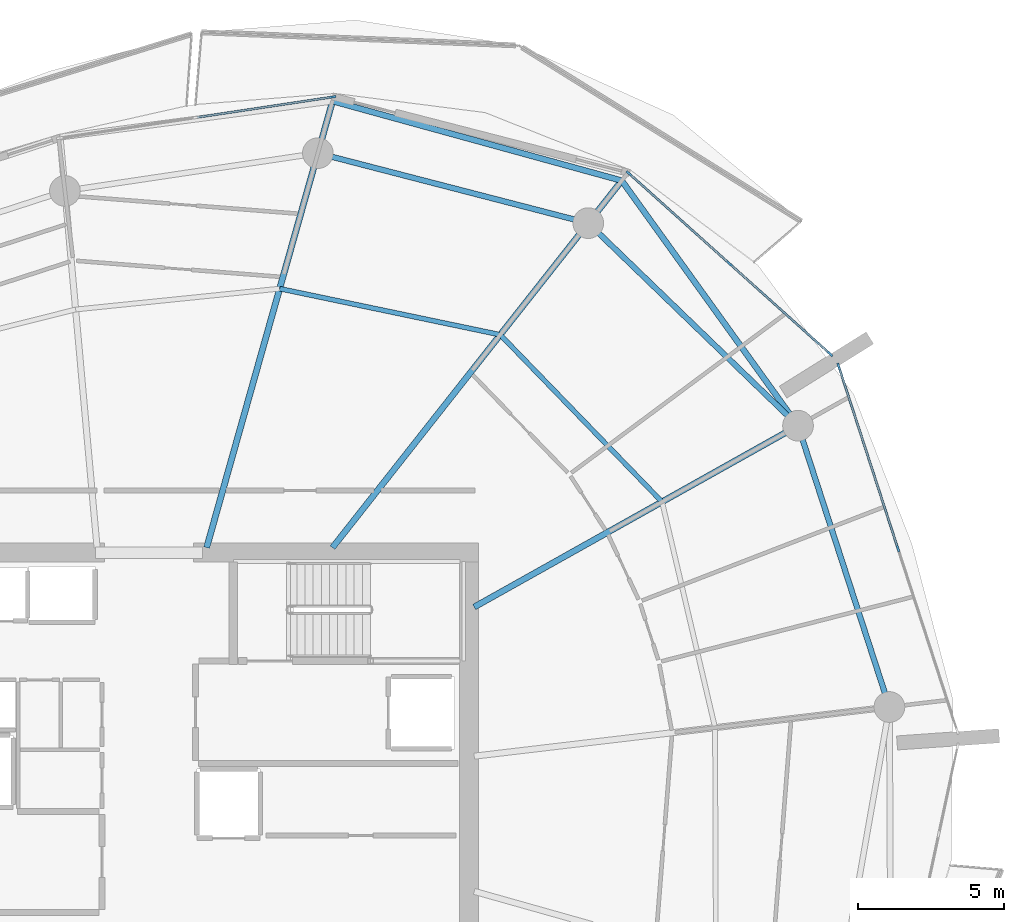
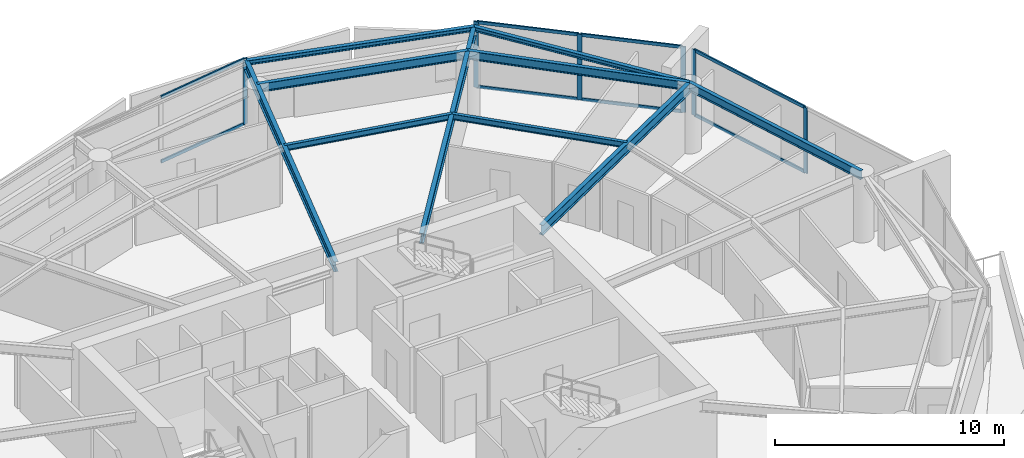
# One storey, part 9 of 21: 14 members, 10 beams, 3 elements without a shape of their own.
"""IFC4 building model written with IfcOpenShell, lengths in metres."""

from ifc_helpers import new_model, si_unit, direction, frame, origin, origin_2d, place, context, subcontext, project, spatial, rectangle, i_section, extrude, material, layer, layer_set, material_profile, profile_set, type_object, element, aggregate, save


model = new_model("IFC4")

# Units and contexts
model_context = context("Model", 3, precision=1e-05, world=origin(), true_north=direction((0.0, 1.0)))
body_context = subcontext(model_context, "Body", "Model", "MODEL_VIEW")
ifc_project = project(units=[si_unit("LENGTHUNIT", "METRE"), si_unit("AREAUNIT", "SQUARE_METRE"), si_unit("VOLUMEUNIT", "CUBIC_METRE"), si_unit("PLANEANGLEUNIT", "RADIAN"), si_unit("MASSUNIT", "GRAM", prefix="KILO")], contexts=[model_context])

# Site, building, storey
site_placement = place(None, origin())
site = spatial("IfcSite", under=ifc_project, at=site_placement, CompositionType="ELEMENT")
building_placement = place(site_placement, origin())
building = spatial("IfcBuilding", under=site, at=building_placement, Name="Kazma Halo Residences", CompositionType="ELEMENT")
storey_placement = place(building_placement, frame((0.0, 0.0, 191.550048828125)))
storey = spatial("IfcBuildingStorey", under=building, at=storey_placement, Name="L48", CompositionType="ELEMENT", Elevation=191.550048828125)

# Beams
ifc_material_1 = material(Name="Steel S355", Category="steel")
ifc_material_profile_1 = material_profile(ifc_material_1, i_section(OverallWidth=0.201904296875, OverallDepth=0.2470703125, WebThickness=0.00732421875, FlangeThickness=0.010986328125, FilletRadius=0.011962890625, at=origin_2d()), Name="W250x49.1")
ifc_profile_set_1 = profile_set([ifc_material_profile_1], Name="Steel S355")
beam_type_1 = type_object("IfcBeamType", Name="BM-BAL-CANT", PredefinedType="BEAM", material=ifc_profile_set_1)
beam_1_placement = place(storey_placement, frame((70.625, 54.670654296875, 3.37646484375), z_axis=(-0.583963922576, 0.811779611181, 0.0), x_axis=(-0.811779611181, -0.583963922576, 0.0)))
element("IfcBeam", 1, at=beam_1_placement, inside=storey, type_object=beam_type_1, Name="L48 wave-balcony lead tie beam 01", PredefinedType="BEAM", context=body_context, shape_type="SweptSolid", body=[
    extrude(i_section(OverallWidth=0.201904296875, OverallDepth=0.2470703125, WebThickness=0.00732421875, FlangeThickness=0.010986328125, FilletRadius=0.011962890625, at=origin_2d()), origin(), (0.0, 0.0, 1.0), 10.324462890625),
])
beam_2_placement = place(storey_placement, frame((64.595947265625, 63.0517578125, 3.37646484375), z_axis=(-0.964197026197, 0.265186905169, 0.0), x_axis=(-0.265186905169, -0.964197026197, 0.0)))
element("IfcBeam", 2, at=beam_2_placement, inside=storey, type_object=beam_type_1, Name="L48 wave-balcony tie beam 02", PredefinedType="BEAM", context=body_context, shape_type="SweptSolid", body=[
    extrude(i_section(OverallWidth=0.201904296875, OverallDepth=0.2470703125, WebThickness=0.00732421875, FlangeThickness=0.010986328125, FilletRadius=0.011962890625, at=origin_2d()), origin(), (0.0, 0.0, 1.0), 10.258544921875),
])
ifc_material_profile_2 = material_profile(ifc_material_1, i_section(OverallWidth=0.208984375, OverallDepth=0.532958984375, WebThickness=0.01025390625, FlangeThickness=0.015625, FilletRadius=0.01611328125, at=origin_2d()), Name="W530x92")
ifc_profile_set_2 = profile_set([ifc_material_profile_2], Name="Steel S355")
beam_type_2 = type_object("IfcBeamType", Name="BM-RAD-W530", PredefinedType="BEAM", material=ifc_profile_set_2)
beam_3_placement = place(storey_placement, frame((59.550048828125, 48.46826171875, 3.2333984375), z_axis=(0.872491912539, 0.488628552742, 0.0), x_axis=(-0.488628552742, 0.872491912539, 0.0)))
element("IfcBeam", 3, at=beam_3_placement, inside=storey, type_object=beam_type_2, Name="L48 radial floor beam 01", PredefinedType="BEAM", context=body_context, shape_type="SweptSolid", body=[
    extrude(i_section(OverallWidth=0.208984375, OverallDepth=0.532958984375, WebThickness=0.01025390625, FlangeThickness=0.015625, FilletRadius=0.01611328125, at=origin_2d()), origin(), (0.0, 0.0, 1.0), 12.693359375),
])
beam_4_placement = place(storey_placement, frame((54.700927734375, 50.5, 3.2333984375), z_axis=(0.61909439419, 0.785316580165, 0.0), x_axis=(-0.785316580165, 0.61909439419, 0.0)))
element("IfcBeam", 4, at=beam_4_placement, inside=storey, type_object=beam_type_2, Name="L48 radial floor beam 02", PredefinedType="BEAM", context=body_context, shape_type="SweptSolid", body=[
    extrude(i_section(OverallWidth=0.208984375, OverallDepth=0.532958984375, WebThickness=0.01025390625, FlangeThickness=0.015625, FilletRadius=0.01611328125, at=origin_2d()), origin(), (0.0, 0.0, 1.0), 15.983154296875),
])
beam_5_placement = place(storey_placement, frame((50.397216796875, 50.5, 3.2333984375), z_axis=(0.271449932859, 0.962452561922, 0.0), x_axis=(-0.962452561922, 0.271449932859, 0.0)))
element("IfcBeam", 5, at=beam_5_placement, inside=storey, type_object=beam_type_2, Name="L48 radial floor beam 03", PredefinedType="BEAM", context=body_context, shape_type="SweptSolid", body=[
    extrude(i_section(OverallWidth=0.208984375, OverallDepth=0.532958984375, WebThickness=0.01025390625, FlangeThickness=0.015625, FilletRadius=0.01611328125, at=origin_2d()), origin(), (0.0, 0.0, 1.0), 15.867919921875),
])
ifc_material_profile_3 = material_profile(ifc_material_1, i_section(OverallWidth=0.1650390625, OverallDepth=0.31005859375, WebThickness=0.005859375, FlangeThickness=0.009765625, FilletRadius=0.011962890625, at=origin_2d()), Name="W310x38.7")
ifc_profile_set_3 = profile_set([ifc_material_profile_3], Name="Steel S355")
beam_type_3 = type_object("IfcBeamType", Name="BM-SEC-W310B", PredefinedType="JOIST", material=ifc_profile_set_3)
beam_6_placement = place(storey_placement, frame((65.9736328125, 52.065673828125, 3.344970703125), z_axis=(-0.695659633946, 0.718371542934, 0.0), x_axis=(-0.718371542934, -0.695659633946, 0.0)))
element("IfcBeam", 6, at=beam_6_placement, inside=storey, type_object=beam_type_3, Name="L48 circumferential floor joist 01", PredefinedType="JOIST", context=body_context, shape_type="SweptSolid", body=[
    extrude(i_section(OverallWidth=0.1650390625, OverallDepth=0.31005859375, WebThickness=0.005859375, FlangeThickness=0.009765625, FilletRadius=0.011962890625, at=origin_2d()), origin(), (0.0, 0.0, 1.0), 7.95458984375),
])
beam_7_placement = place(storey_placement, frame((60.43994140625, 57.780029296875, 3.344970703125), z_axis=(-0.978821484976, 0.204715657802, 0.0), x_axis=(-0.204715657802, -0.978821484976, 0.0)))
element("IfcBeam", 7, at=beam_7_placement, inside=storey, type_object=beam_type_3, Name="L48 circumferential floor joist 02", PredefinedType="JOIST", context=body_context, shape_type="SweptSolid", body=[
    extrude(i_section(OverallWidth=0.1650390625, OverallDepth=0.31005859375, WebThickness=0.005859375, FlangeThickness=0.009765625, FilletRadius=0.011962890625, at=origin_2d()), origin(), (0.0, 0.0, 1.0), 7.707763671875),
])
ifc_material_profile_4 = material_profile(ifc_material_1, i_section(OverallWidth=0.18994140625, OverallDepth=0.45703125, WebThickness=0.009033203125, FlangeThickness=0.014404296875, FilletRadius=0.01611328125, at=origin_2d()), Name="W460x74")
ifc_profile_set_4 = profile_set([ifc_material_profile_4], Name="Steel S355")
beam_type_4 = type_object("IfcBeamType", Name="BM-SPN-W460", PredefinedType="BEAM", material=ifc_profile_set_4)
beam_8_placement = place(storey_placement, frame((70.625, 54.670654296875, 3.271484375), z_axis=(-0.71933650181, 0.694661786169, 0.0), x_axis=(-0.694661786169, -0.71933650181, 0.0)))
element("IfcBeam", 8, at=beam_8_placement, inside=storey, type_object=beam_type_4, Name="L48 perimeter ring beam 01", PredefinedType="BEAM", context=body_context, shape_type="SweptSolid", body=[
    extrude(i_section(OverallWidth=0.18994140625, OverallDepth=0.45703125, WebThickness=0.009033203125, FlangeThickness=0.014404296875, FilletRadius=0.01611328125, at=origin_2d()), origin(), (0.0, 0.0, 1.0), 9.9736328125),
])
beam_9_placement = place(storey_placement, frame((63.45068359375, 61.598876953125, 3.271484375), z_axis=(-0.968120950739, 0.25048318255, 0.0), x_axis=(-0.25048318255, -0.968120950739, 0.0)))
element("IfcBeam", 9, at=beam_9_placement, inside=storey, type_object=beam_type_4, Name="L48 perimeter ring beam 02", PredefinedType="BEAM", context=body_context, shape_type="SweptSolid", body=[
    extrude(i_section(OverallWidth=0.18994140625, OverallDepth=0.45703125, WebThickness=0.009033203125, FlangeThickness=0.014404296875, FilletRadius=0.01611328125, at=origin_2d()), origin(), (0.0, 0.0, 1.0), 9.552734375),
])
beam_10_placement = place(storey_placement, frame((73.751708984375, 45.0478515625, 3.271484375), z_axis=(-0.309023327426, 0.951054458539, 0.0), x_axis=(-0.951054458539, -0.309023327426, 0.0)))
element("IfcBeam", 10, at=beam_10_placement, inside=storey, type_object=beam_type_4, Name="L48 perimeter ring beam 16", PredefinedType="BEAM", context=body_context, shape_type="SweptSolid", body=[
    extrude(i_section(OverallWidth=0.18994140625, OverallDepth=0.45703125, WebThickness=0.009033203125, FlangeThickness=0.014404296875, FilletRadius=0.01611328125, at=origin_2d()), origin(), (0.0, 0.0, 1.0), 10.117919921875),
])

# Curtain wall, members
ifc_material_2 = material(Name="Aluminium AW-6063 T6 and Triple-Silver Low-E Glass", Category="aluminium")
ifc_layer = layer(ifc_material_2, 0.219970703125)
ifc_layer_set = layer_set([ifc_layer], Name="Aluminium AW-6063 T6 and Triple-Silver Low-E Glass")
curtain_wall_type = type_object("IfcCurtainWallType", Name="CW-SYS-4", PredefinedType="NOTDEFINED", material=ifc_layer_set)
curtain_wall_1_placement = place(storey_placement, origin())
curtain_wall_1 = element("IfcCurtainWall", 11, at=curtain_wall_1_placement, inside=storey, type_object=curtain_wall_type, Name="L48 unitised curtain wall B01", PredefinedType="NOTDEFINED")
ifc_material_3 = material(Name="Aluminium AW-6063 T6", Category="aluminium")
ifc_material_profile_5 = material_profile(ifc_material_3, rectangle(XDim=0.074951171875, YDim=0.219970703125, at=origin_2d()), Name="CWM-75x220")
ifc_profile_set_5 = profile_set([ifc_material_profile_5], Name="Aluminium AW-6063 T6")
member_type_1 = type_object("IfcMemberType", Name="CW-SYS-4-MUL", PredefinedType="MULLION", material=ifc_profile_set_5)
member_1_placement = place(storey_placement, frame((71.7216796875, 57.126220703125, 0.0), z_axis=(0.0, 0.0, 1.0), x_axis=(-0.667784328806, -0.744354814723, 0.0)))
member_1 = element("IfcMember", 12, at=member_1_placement, type_object=member_type_1, Name="CWS-4 mullion 1", PredefinedType="MULLION", context=body_context, shape_type="SweptSolid", body=[
    extrude(rectangle(XDim=0.074951171875, YDim=0.219970703125, at=origin_2d()), origin(), (0.0, 0.0, 1.0), 3.5),
])
member_2_placement = place(storey_placement, frame((68.280517578125, 60.213134765625, 0.0), z_axis=(0.0, 0.0, 1.0), x_axis=(-0.667784328806, -0.744354814723, 0.0)))
member_2 = element("IfcMember", 13, at=member_2_placement, type_object=member_type_1, Name="CWS-4 mullion 2", PredefinedType="MULLION", context=body_context, shape_type="SweptSolid", body=[
    extrude(rectangle(XDim=0.074951171875, YDim=0.219970703125, at=origin_2d()), origin(), (0.0, 0.0, 1.0), 3.5),
])
member_3_placement = place(storey_placement, frame((64.839599609375, 63.30029296875, 0.0), z_axis=(0.0, 0.0, 1.0), x_axis=(-0.667784328806, -0.744354814723, 0.0)))
member_3 = element("IfcMember", 14, at=member_3_placement, type_object=member_type_1, Name="CWS-4 mullion 3", PredefinedType="MULLION", context=body_context, shape_type="SweptSolid", body=[
    extrude(rectangle(XDim=0.074951171875, YDim=0.219970703125, at=origin_2d()), origin(), (0.0, 0.0, 1.0), 3.5),
])

# Curtain wall, member
curtain_wall_2_placement = place(storey_placement, origin())
curtain_wall_2 = element("IfcCurtainWall", 15, at=curtain_wall_2_placement, inside=storey, type_object=curtain_wall_type, Name="L48 unitised curtain wall B03", PredefinedType="NOTDEFINED")
member_4_placement = place(storey_placement, frame((54.708740234375, 65.913330078125, 0.0), z_axis=(0.0, 0.0, 1.0), x_axis=(0.148772639188, -0.988871428361, 0.0)))
member_4 = element("IfcMember", 16, at=member_4_placement, type_object=member_type_1, Name="CWS-4 mullion 1", PredefinedType="MULLION", context=body_context, shape_type="SweptSolid", body=[
    extrude(rectangle(XDim=0.074951171875, YDim=0.219970703125, at=origin_2d()), origin(), (0.0, 0.0, 1.0), 3.5),
])

# Curtain wall, members
curtain_wall_3_placement = place(storey_placement, origin())
curtain_wall_3 = element("IfcCurtainWall", 17, at=curtain_wall_3_placement, inside=storey, type_object=curtain_wall_type, Name="L48 unitised curtain wall B16", PredefinedType="NOTDEFINED")
member_5_placement = place(storey_placement, frame((74.04345703125, 50.4619140625, 0.0), z_axis=(0.0, 0.0, 1.0), x_axis=(-0.951056893636, -0.309015833038, 0.0)))
member_5 = element("IfcMember", 18, at=member_5_placement, type_object=member_type_1, Name="CWS-4 mullion 2", PredefinedType="MULLION", context=body_context, shape_type="SweptSolid", body=[
    extrude(rectangle(XDim=0.074951171875, YDim=0.219970703125, at=origin_2d()), origin(), (0.0, 0.0, 1.0), 3.5),
])
member_6_placement = place(storey_placement, frame((72.015625, 56.702880859375, 0.0), z_axis=(0.0, 0.0, 1.0), x_axis=(-0.951056893636, -0.309015833038, 0.0)))
member_6 = element("IfcMember", 19, at=member_6_placement, type_object=member_type_1, Name="CWS-4 mullion 3", PredefinedType="MULLION", context=body_context, shape_type="SweptSolid", body=[
    extrude(rectangle(XDim=0.074951171875, YDim=0.219970703125, at=origin_2d()), origin(), (0.0, 0.0, 1.0), 3.5),
])

# Member
ifc_material_profile_6 = material_profile(ifc_material_3, rectangle(XDim=0.074951171875, YDim=0.1650390625, at=origin_2d()), Name="CWT-75x165")
ifc_profile_set_6 = profile_set([ifc_material_profile_6], Name="Aluminium AW-6063 T6")
member_type_2 = type_object("IfcMemberType", Name="CW-SYS-4-TRN", PredefinedType="USERDEFINED", material=ifc_profile_set_6)
member_7_placement = place(storey_placement, frame((71.69384765625, 57.151123046875, 0.037353515625), z_axis=(-0.744344906673, 0.667795372783, 0.0), x_axis=(-0.667795372783, -0.744344906673, 0.0)))
member_7 = element("IfcMember", 20, at=member_7_placement, type_object=member_type_2, Name="CWS-4 transom 1.1", ObjectType="TRANSOM", PredefinedType="USERDEFINED", context=body_context, shape_type="SweptSolid", body=[
    extrude(rectangle(XDim=0.074951171875, YDim=0.1650390625, at=origin_2d()), origin(), (0.0, 0.0, 1.0), 4.5478515625),
])

member_8_placement = place(storey_placement, frame((71.69384765625, 57.151123046875, 3.46240234375), z_axis=(-0.744344906673, 0.667795372783, 0.0), x_axis=(-0.667795372783, -0.744344906673, 0.0)))
member_8 = element("IfcMember", 21, at=member_8_placement, type_object=member_type_2, Name="CWS-4 transom 1.2", ObjectType="TRANSOM", PredefinedType="USERDEFINED", context=body_context, shape_type="SweptSolid", body=[
    extrude(rectangle(XDim=0.074951171875, YDim=0.1650390625, at=origin_2d()), origin(), (0.0, 0.0, 1.0), 4.5478515625),
])

member_9_placement = place(storey_placement, frame((68.252685546875, 60.23828125, 0.037353515625), z_axis=(-0.744344906673, 0.667795372783, 0.0), x_axis=(-0.667795372783, -0.744344906673, 0.0)))
member_9 = element("IfcMember", 22, at=member_9_placement, type_object=member_type_2, Name="CWS-4 transom 2.1", ObjectType="TRANSOM", PredefinedType="USERDEFINED", context=body_context, shape_type="SweptSolid", body=[
    extrude(rectangle(XDim=0.074951171875, YDim=0.1650390625, at=origin_2d()), origin(), (0.0, 0.0, 1.0), 4.5478515625),
])

member_10_placement = place(storey_placement, frame((68.252685546875, 60.23828125, 3.46240234375), z_axis=(-0.744344906673, 0.667795372783, 0.0), x_axis=(-0.667795372783, -0.744344906673, 0.0)))
member_10 = element("IfcMember", 23, at=member_10_placement, type_object=member_type_2, Name="CWS-4 transom 2.2", ObjectType="TRANSOM", PredefinedType="USERDEFINED", context=body_context, shape_type="SweptSolid", body=[
    extrude(rectangle(XDim=0.074951171875, YDim=0.1650390625, at=origin_2d()), origin(), (0.0, 0.0, 1.0), 4.5478515625),
])

aggregate(curtain_wall_1, [member_1, member_2, member_3, member_7, member_8, member_9, member_10])

member_11_placement = place(storey_placement, frame((54.671630859375, 65.907958984375, 0.037353515625), z_axis=(-0.988867623216, -0.148797929272, 0.0), x_axis=(0.148797929272, -0.988867623216, 0.0)))
member_11 = element("IfcMember", 24, at=member_11_placement, type_object=member_type_2, Name="CWS-4 transom 1.1", ObjectType="TRANSOM", PredefinedType="USERDEFINED", context=body_context, shape_type="SweptSolid", body=[
    extrude(rectangle(XDim=0.074951171875, YDim=0.1650390625, at=origin_2d()), origin(), (0.0, 0.0, 1.0), 4.64501953125),
])

member_12_placement = place(storey_placement, frame((54.671630859375, 65.907958984375, 3.46240234375), z_axis=(-0.988867623216, -0.148797929272, 0.0), x_axis=(0.148797929272, -0.988867623216, 0.0)))
member_12 = element("IfcMember", 25, at=member_12_placement, type_object=member_type_2, Name="CWS-4 transom 1.2", ObjectType="TRANSOM", PredefinedType="USERDEFINED", context=body_context, shape_type="SweptSolid", body=[
    extrude(rectangle(XDim=0.074951171875, YDim=0.1650390625, at=origin_2d()), origin(), (0.0, 0.0, 1.0), 4.64501953125),
])

aggregate(curtain_wall_2, [member_4, member_11, member_12])

member_13_placement = place(storey_placement, frame((74.031982421875, 50.49755859375, 0.037353515625), z_axis=(-0.309015440644, 0.951057021132, 0.0), x_axis=(-0.951057021132, -0.309015440644, 0.0)))
member_13 = element("IfcMember", 26, at=member_13_placement, type_object=member_type_2, Name="CWS-4 transom 2.1", ObjectType="TRANSOM", PredefinedType="USERDEFINED", context=body_context, shape_type="SweptSolid", body=[
    extrude(rectangle(XDim=0.074951171875, YDim=0.1650390625, at=origin_2d()), origin(), (0.0, 0.0, 1.0), 6.487060546875),
])

member_14_placement = place(storey_placement, frame((74.031982421875, 50.49755859375, 3.46240234375), z_axis=(-0.309015440644, 0.951057021132, 0.0), x_axis=(-0.951057021132, -0.309015440644, 0.0)))
member_14 = element("IfcMember", 27, at=member_14_placement, type_object=member_type_2, Name="CWS-4 transom 2.2", ObjectType="TRANSOM", PredefinedType="USERDEFINED", context=body_context, shape_type="SweptSolid", body=[
    extrude(rectangle(XDim=0.074951171875, YDim=0.1650390625, at=origin_2d()), origin(), (0.0, 0.0, 1.0), 6.487060546875),
])

aggregate(curtain_wall_3, [member_5, member_6, member_13, member_14])

save(model, "model.ifc")
